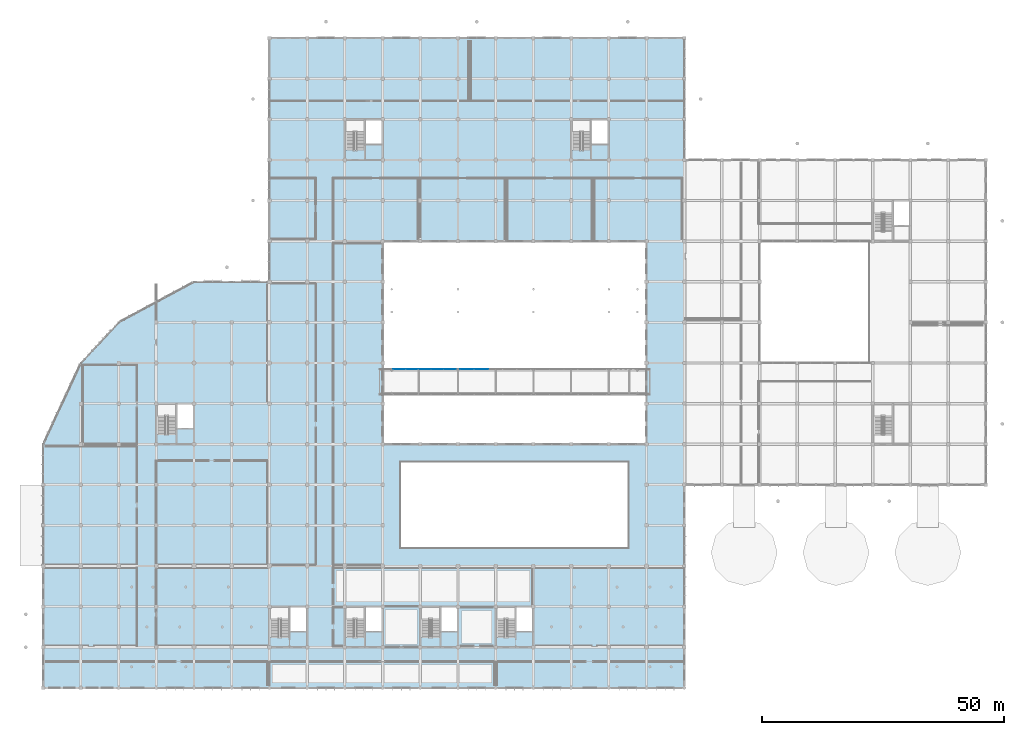
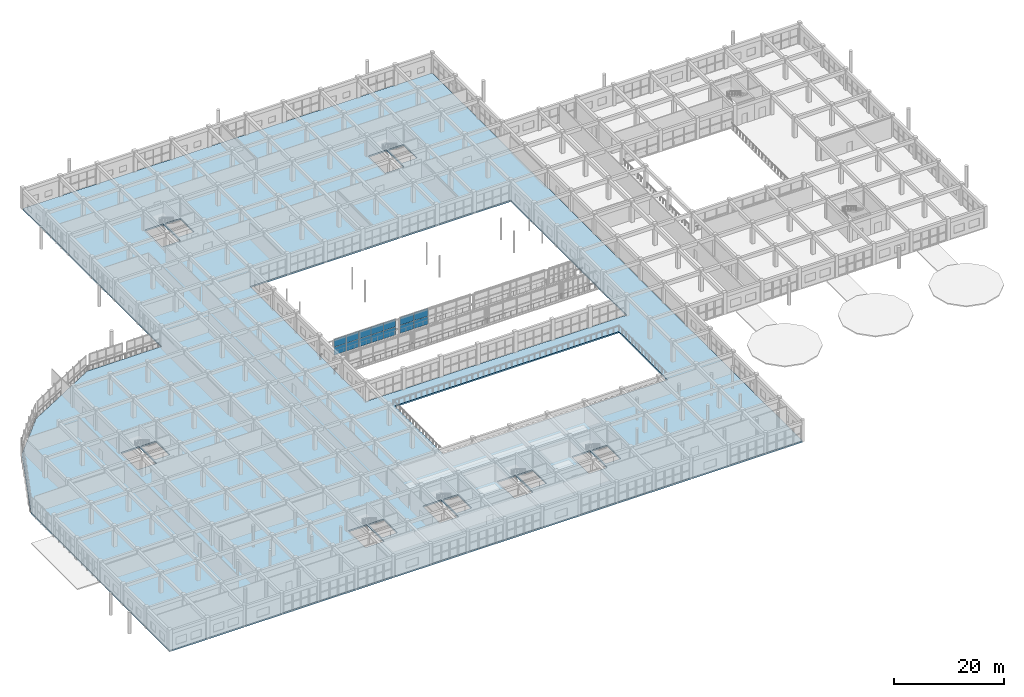
# One storey, part 143 of 175: 14 plates, 1 slab, 2 elements without a shape of their own.
"""IFC4 building model written with IfcOpenShell, lengths in metres."""

import ifcopenshell
import ifcopenshell.guid

model = None  # the IFC model being written
_history = None  # IfcOwnerHistory: only IFC2X3 demands one
_inside = {}  # id of a spatial element -> (the spatial element, [elements in it])
_under = {}  # id of a project, library or spatial element -> (it, [spatial elements below it])
_declared = {}  # id of a project -> (the project, [libraries it declares])
_typed = {}  # id of a type object -> (the type object, [elements of that type])
_made_of = {}  # id of a material, layer set ... -> (it, [elements and type objects made of it])


def new_model(schema):
    """Start an empty IFC model of exactly this schema.

    Asked for "IFC4X3", IfcOpenShell would pick the latest addendum, in which some entities
    have other attributes; the version numbers below select the first issue.
    IFC2X3 requires an IfcOwnerHistory on every rooted entity: one is made here for all.
    """
    global model, _history
    if schema == "IFC4X3":
        model = ifcopenshell.file(schema_version=(4, 3, 0, 0))
    else:
        model = ifcopenshell.file(schema=schema)
    _inside.clear()
    _under.clear()
    _declared.clear()
    _typed.clear()
    _made_of.clear()
    _history = None
    if model.schema == "IFC2X3":
        org = make("IfcOrganization", Name="unknown")
        user = make(
            "IfcPersonAndOrganization",
            ThePerson=make("IfcPerson", FamilyName="unknown"),
            TheOrganization=org,
        )
        app = make(
            "IfcApplication",
            ApplicationDeveloper=org,
            Version="unknown",
            ApplicationFullName="unknown",
            ApplicationIdentifier="unknown",
        )
        _history = make(
            "IfcOwnerHistory",
            OwningUser=user,
            OwningApplication=app,
            ChangeAction="ADDED",
            CreationDate=0,
        )
    return model


def make(cls, **values):
    """One entity of the class cls with the attributes given. An attribute that is None is left unset."""
    return model.create_entity(
        cls, **{name: value for name, value in values.items() if value is not None}
    )


def rooted(cls, **values):
    """An entity with a GlobalId (a new one), such as an element, a storey or a relation."""
    return make(cls, GlobalId=ifcopenshell.guid.new(), OwnerHistory=_history, **values)


def si_unit(unit_type, name, prefix=None):
    """IfcSIUnit, for example si_unit("LENGTHUNIT", "METRE", prefix="MILLI")."""
    return make("IfcSIUnit", UnitType=unit_type, Prefix=prefix, Name=name)


def assignment(units):
    """IfcUnitAssignment: the units of a project."""
    return None if units is None else make("IfcUnitAssignment", Units=units)


def point(xyz):
    """IfcCartesianPoint."""
    return None if xyz is None else make("IfcCartesianPoint", Coordinates=xyz)


def direction(xyz):
    """IfcDirection."""
    return None if xyz is None else make("IfcDirection", DirectionRatios=xyz)


def frame(location, z_axis=None, x_axis=None):
    """IfcAxis2Placement3D, a coordinate frame: its origin and axes. An axis left out is left unset."""
    return make(
        "IfcAxis2Placement3D",
        Location=point(location),
        Axis=direction(z_axis),
        RefDirection=direction(x_axis),
    )


def frame_2d(location, x_axis=None):
    """IfcAxis2Placement2D, a coordinate frame in the plane: its origin and x axis."""
    return make(
        "IfcAxis2Placement2D", Location=point(location), RefDirection=direction(x_axis)
    )


def origin():
    """The frame at (0, 0, 0) with its axes left unset."""
    return frame((0.0, 0.0, 0.0))


def origin_2d():
    """The frame at (0, 0) in the plane with its x axis left unset."""
    return frame_2d((0.0, 0.0))


def place(relative_to, where):
    """IfcLocalPlacement: puts the frame where relative to a parent placement (None: the world)."""
    return make(
        "IfcLocalPlacement", PlacementRelTo=relative_to, RelativePlacement=where
    )


def context(
    kind, dimensions, precision=None, world=None, true_north=None, identifier=None
):
    """IfcGeometricRepresentationContext, for example the 3D "Model" context."""
    return make(
        "IfcGeometricRepresentationContext",
        ContextIdentifier=identifier,
        ContextType=kind,
        CoordinateSpaceDimension=dimensions,
        Precision=precision,
        WorldCoordinateSystem=world,
        TrueNorth=true_north,
    )


def subcontext(parent, identifier, kind, view, scale=None):
    """IfcGeometricRepresentationSubContext, for example "Body" below "Model"."""
    return make(
        "IfcGeometricRepresentationSubContext",
        ContextIdentifier=identifier,
        ContextType=kind,
        ParentContext=parent,
        TargetScale=scale,
        TargetView=view,
    )


def project(units=None, contexts=None):
    """IfcProject with its units and contexts."""
    return rooted(
        "IfcProject",
        Name="project",
        RepresentationContexts=contexts,
        UnitsInContext=assignment(units),
    )


def spatial(cls, under=None, at=None, **own):
    """A site, building, storey or space (cls), placed at a placement, below another one or the project."""
    s = rooted(cls, ObjectPlacement=at, **own)
    if under is not None:
        _under.setdefault(under.id(), (under, []))[1].append(s)
    return s


def polyline(points):
    """IfcPolyline through the points."""
    return make("IfcPolyline", Points=[point(p) for p in points])


def profile(cls, at=None, kind="AREA", **sizes):
    """A parametric profile (cls). Its sizes go by their IFC names, for example OverallWidth=200.0."""
    return make(cls, ProfileType=kind, Position=at, **sizes)


def rectangle(**sizes):
    """IfcRectangleProfileDef."""
    return profile("IfcRectangleProfileDef", **sizes)


def outline(outer, holes=None, kind="AREA"):
    """IfcArbitraryClosedProfileDef: a profile drawn as a closed curve; with holes, ...WithVoids."""
    if holes is None:
        return make("IfcArbitraryClosedProfileDef", ProfileType=kind, OuterCurve=outer)
    return make(
        "IfcArbitraryProfileDefWithVoids",
        ProfileType=kind,
        OuterCurve=outer,
        InnerCurves=holes,
    )


def extrude(swept, where, along, depth):
    """IfcExtrudedAreaSolid: the profile swept, set in the frame where, extruded along a direction by depth."""
    return make(
        "IfcExtrudedAreaSolid",
        SweptArea=swept,
        Position=where,
        ExtrudedDirection=direction(along),
        Depth=depth,
    )


def shape(context_of_items, identifier, shape_type, items):
    """IfcShapeRepresentation: the items that make up one representation, for example the "Body"."""
    return make(
        "IfcShapeRepresentation",
        ContextOfItems=context_of_items,
        RepresentationIdentifier=identifier,
        RepresentationType=shape_type,
        Items=items,
    )


def material(Name=None, Category=None):
    """IfcMaterial."""
    return make("IfcMaterial", Name=Name, Category=Category)


def layer(
    of_material, thickness, ventilated=None, Name=None, Category=None, Priority=None
):
    """IfcMaterialLayer: one layer of a wall or slab, of a material (None: an air gap)."""
    return make(
        "IfcMaterialLayer",
        Material=of_material,
        LayerThickness=thickness,
        IsVentilated=ventilated,
        Name=Name,
        Category=Category,
        Priority=Priority,
    )


def layer_set(layers, Name=None):
    """IfcMaterialLayerSet."""
    return make("IfcMaterialLayerSet", MaterialLayers=layers, LayerSetName=Name)


def made_of(thing, what):
    """Note that an element or type object is made of a material, layer set ...; save() writes the relation."""
    if what is not None:
        _made_of.setdefault(what.id(), (what, []))[1].append(thing)
    return thing


def type_object(cls, material=None, **own):
    """A type object (cls), such as IfcWallType, which elements share."""
    return made_of(rooted(cls, **own), material)


def element(
    cls,
    number,
    at=None,
    inside=None,
    cuts=None,
    type_object=None,
    material=None,
    context=None,
    identifier="Body",
    shape_type=None,
    held_by="IfcProductDefinitionShape",
    body=None,
    shapes=None,
    **own,
):
    """One element of the class cls, such as IfcWall. Its Tag is "e" and its number.

    at: its placement. inside: the storey or other place that contains it. cuts: it is an
    opening in that element (IfcRelVoidsElement). A single representation is given by context,
    identifier, shape_type and body (its items); several are given by shapes. held_by: the class
    of the entity that holds the representations. save() writes the other relations.
    """
    e = rooted(cls, Tag="e%d" % number, ObjectPlacement=at, **own)
    if body is not None:
        shapes = [shape(context, identifier, shape_type, body)]
    if shapes is not None:
        e.Representation = make(held_by, Representations=shapes)
    if inside is not None:
        _inside.setdefault(inside.id(), (inside, []))[1].append(e)
    if cuts is not None:
        rooted(
            "IfcRelVoidsElement", RelatingBuildingElement=cuts, RelatedOpeningElement=e
        )
    if type_object is not None:
        _typed.setdefault(type_object.id(), (type_object, []))[1].append(e)
    return made_of(e, material)


def aggregate(whole, parts):
    """IfcRelAggregates: a whole, such as a stair, and the parts it consists of."""
    return rooted("IfcRelAggregates", RelatingObject=whole, RelatedObjects=parts)


def save(model, path):
    """Write the relations noted so far, then the file.

    IfcRelAggregates (storeys below a building ...), IfcRelContainedInSpatialStructure (elements
    in a storey), IfcRelDefinesByType, IfcRelAssociatesMaterial and IfcRelDeclares: one each for
    every whole, place, type object, material and project.
    """
    for whole, parts in _under.values():
        aggregate(whole, parts)
    for where, things in _inside.values():
        rooted(
            "IfcRelContainedInSpatialStructure",
            RelatedElements=things,
            RelatingStructure=where,
        )
    for kind, things in _typed.values():
        rooted("IfcRelDefinesByType", RelatedObjects=things, RelatingType=kind)
    for what, things in _made_of.values():
        rooted("IfcRelAssociatesMaterial", RelatedObjects=things, RelatingMaterial=what)
    for by, libraries in _declared.values():
        rooted("IfcRelDeclares", RelatingContext=by, RelatedDefinitions=libraries)
    model.write(path)


model = new_model("IFC4")

# Units and contexts
model_context = context("Model", 3, precision=1e-05, world=origin(), true_north=direction((0.0, 1.0)))
body_context = subcontext(model_context, "Body", "Model", "MODEL_VIEW")
ifc_project = project(units=[si_unit("LENGTHUNIT", "METRE"), si_unit("AREAUNIT", "SQUARE_METRE"), si_unit("VOLUMEUNIT", "CUBIC_METRE"), si_unit("PLANEANGLEUNIT", "RADIAN"), si_unit("MASSUNIT", "GRAM", prefix="KILO")], contexts=[model_context])

# Site, building, storey
site_placement = place(None, origin())
site = spatial("IfcSite", under=ifc_project, at=site_placement, CompositionType="ELEMENT")
building_placement = place(site_placement, origin())
building = spatial("IfcBuilding", under=site, at=building_placement, Name="Zizhar Promenade General Hospital", CompositionType="ELEMENT")
storey_placement = place(building_placement, frame((0.0, 0.0, 4.800048828125)))
storey = spatial("IfcBuildingStorey", under=building, at=storey_placement, Name="L01", CompositionType="ELEMENT", Elevation=4.800048828125)

# Curtain wall, plates
ifc_material_1 = material(Name="Anodised aluminium 6063-T6 and low-E glass", Category="aluminium")
ifc_layer_1 = layer(ifc_material_1, 0.159912109375)
ifc_layer_set_1 = layer_set([ifc_layer_1], Name="Anodised aluminium 6063-T6 and low-E glass")
curtain_wall_type = type_object("IfcCurtainWallType", Name="CW-SKY-GLZ", PredefinedType="NOTDEFINED", material=ifc_layer_set_1)
curtain_wall_1_placement = place(storey_placement, origin())
curtain_wall_1 = element("IfcCurtainWall", 1, at=curtain_wall_1_placement, inside=storey, type_object=curtain_wall_type, Name="Courtyard Clinical Skybridge Level L01 North Glazing 1", PredefinedType="NOTDEFINED")
ifc_material_2 = material(Name="Low-E solar-control glass", Category="glass")
ifc_layer_2 = layer(ifc_material_2, 0.031982421875)
ifc_layer_set_2 = layer_set([ifc_layer_2], Name="Low-E solar-control glass")
plate_type = type_object("IfcPlateType", Name="CWP-GLZ-32", PredefinedType="CURTAIN_PANEL", material=ifc_layer_set_2)
plate_1_placement = place(storey_placement, frame((73.715087890625, 65.89990234375, 0.06005859375), z_axis=(0.0, 0.0, 1.0), x_axis=(1.0, 0.0, 0.0)))
plate_1 = element("IfcPlate", 2, at=plate_1_placement, type_object=plate_type, Name="CW-15 panel 1.1", PredefinedType="CURTAIN_PANEL", context=body_context, shape_type="SweptSolid", body=[
    extrude(rectangle(XDim=2.510009765625, YDim=0.031982421875, at=origin_2d()), origin(), (0.0, 0.0, 1.0), 1.72998046875),
])
plate_2_placement = place(storey_placement, frame((73.715087890625, 65.89990234375, 1.849853515625), z_axis=(0.0, 0.0, 1.0), x_axis=(1.0, 0.0, 0.0)))
plate_2 = element("IfcPlate", 3, at=plate_2_placement, type_object=plate_type, Name="CW-15 panel 1.2", PredefinedType="CURTAIN_PANEL", context=body_context, shape_type="SweptSolid", body=[
    extrude(rectangle(XDim=2.510009765625, YDim=0.031982421875, at=origin_2d()), origin(), (0.0, 0.0, 1.0), 1.72998046875),
])
plate_3_placement = place(storey_placement, frame((76.300048828125, 65.89990234375, 0.06005859375), z_axis=(0.0, 0.0, 1.0), x_axis=(1.0, 0.0, 0.0)))
plate_3 = element("IfcPlate", 4, at=plate_3_placement, type_object=plate_type, Name="CW-15 panel 2.1", PredefinedType="CURTAIN_PANEL", context=body_context, shape_type="SweptSolid", body=[
    extrude(rectangle(XDim=2.5400390625, YDim=0.031982421875, at=origin_2d()), origin(), (0.0, 0.0, 1.0), 1.72998046875),
])
plate_4_placement = place(storey_placement, frame((76.300048828125, 65.89990234375, 1.849853515625), z_axis=(0.0, 0.0, 1.0), x_axis=(1.0, 0.0, 0.0)))
plate_4 = element("IfcPlate", 5, at=plate_4_placement, type_object=plate_type, Name="CW-15 panel 2.2", PredefinedType="CURTAIN_PANEL", context=body_context, shape_type="SweptSolid", body=[
    extrude(rectangle(XDim=2.5400390625, YDim=0.031982421875, at=origin_2d()), origin(), (0.0, 0.0, 1.0), 1.72998046875),
])
plate_5_placement = place(storey_placement, frame((78.89990234375, 65.89990234375, 0.06005859375), z_axis=(0.0, 0.0, 1.0), x_axis=(1.0, 0.0, 0.0)))
plate_5 = element("IfcPlate", 6, at=plate_5_placement, type_object=plate_type, Name="CW-15 panel 3.1", PredefinedType="CURTAIN_PANEL", context=body_context, shape_type="SweptSolid", body=[
    extrude(rectangle(XDim=2.5400390625, YDim=0.031982421875, at=origin_2d()), origin(), (0.0, 0.0, 1.0), 1.72998046875),
])
plate_6_placement = place(storey_placement, frame((78.89990234375, 65.89990234375, 1.849853515625), z_axis=(0.0, 0.0, 1.0), x_axis=(1.0, 0.0, 0.0)))
plate_6 = element("IfcPlate", 7, at=plate_6_placement, type_object=plate_type, Name="CW-15 panel 3.2", PredefinedType="CURTAIN_PANEL", context=body_context, shape_type="SweptSolid", body=[
    extrude(rectangle(XDim=2.5400390625, YDim=0.031982421875, at=origin_2d()), origin(), (0.0, 0.0, 1.0), 1.72998046875),
])
plate_7_placement = place(storey_placement, frame((81.5, 65.89990234375, 0.06005859375), z_axis=(0.0, 0.0, 1.0), x_axis=(1.0, 0.0, 0.0)))
plate_7 = element("IfcPlate", 8, at=plate_7_placement, type_object=plate_type, Name="CW-15 panel 4.1", PredefinedType="CURTAIN_PANEL", context=body_context, shape_type="SweptSolid", body=[
    extrude(rectangle(XDim=2.5400390625, YDim=0.031982421875, at=origin_2d()), origin(), (0.0, 0.0, 1.0), 1.72998046875),
])
plate_8_placement = place(storey_placement, frame((81.5, 65.89990234375, 1.849853515625), z_axis=(0.0, 0.0, 1.0), x_axis=(1.0, 0.0, 0.0)))
plate_8 = element("IfcPlate", 9, at=plate_8_placement, type_object=plate_type, Name="CW-15 panel 4.2", PredefinedType="CURTAIN_PANEL", context=body_context, shape_type="SweptSolid", body=[
    extrude(rectangle(XDim=2.5400390625, YDim=0.031982421875, at=origin_2d()), origin(), (0.0, 0.0, 1.0), 1.72998046875),
])
plate_9_placement = place(storey_placement, frame((84.0849609375, 65.89990234375, 0.06005859375), z_axis=(0.0, 0.0, 1.0), x_axis=(1.0, 0.0, 0.0)))
plate_9 = element("IfcPlate", 10, at=plate_9_placement, type_object=plate_type, Name="CW-15 panel 5.1", PredefinedType="CURTAIN_PANEL", context=body_context, shape_type="SweptSolid", body=[
    extrude(rectangle(XDim=2.510009765625, YDim=0.031982421875, at=origin_2d()), origin(), (0.0, 0.0, 1.0), 1.72998046875),
])
plate_10_placement = place(storey_placement, frame((84.0849609375, 65.89990234375, 1.849853515625), z_axis=(0.0, 0.0, 1.0), x_axis=(1.0, 0.0, 0.0)))
plate_10 = element("IfcPlate", 11, at=plate_10_placement, type_object=plate_type, Name="CW-15 panel 5.2", PredefinedType="CURTAIN_PANEL", context=body_context, shape_type="SweptSolid", body=[
    extrude(rectangle(XDim=2.510009765625, YDim=0.031982421875, at=origin_2d()), origin(), (0.0, 0.0, 1.0), 1.72998046875),
])
aggregate(curtain_wall_1, [plate_1, plate_2, plate_3, plate_4, plate_5, plate_6, plate_7, plate_8, plate_9, plate_10])

curtain_wall_2_placement = place(storey_placement, origin())
curtain_wall_2 = element("IfcCurtainWall", 12, at=curtain_wall_2_placement, inside=storey, type_object=curtain_wall_type, Name="Courtyard Clinical Skybridge Level L01 North Glazing 2", PredefinedType="NOTDEFINED")
plate_11_placement = place(storey_placement, frame((87.695068359375, 65.89990234375, 0.06005859375), z_axis=(0.0, 0.0, 1.0), x_axis=(1.0, 0.0, 0.0)))
plate_11 = element("IfcPlate", 13, at=plate_11_placement, type_object=plate_type, Name="CW-15 panel 1.1", PredefinedType="CURTAIN_PANEL", context=body_context, shape_type="SweptSolid", body=[
    extrude(rectangle(XDim=2.8701171875, YDim=0.031982421875, at=origin_2d()), origin(), (0.0, 0.0, 1.0), 1.72998046875),
])
plate_12_placement = place(storey_placement, frame((87.695068359375, 65.89990234375, 1.849853515625), z_axis=(0.0, 0.0, 1.0), x_axis=(1.0, 0.0, 0.0)))
plate_12 = element("IfcPlate", 14, at=plate_12_placement, type_object=plate_type, Name="CW-15 panel 1.2", PredefinedType="CURTAIN_PANEL", context=body_context, shape_type="SweptSolid", body=[
    extrude(rectangle(XDim=2.8701171875, YDim=0.031982421875, at=origin_2d()), origin(), (0.0, 0.0, 1.0), 1.72998046875),
])
plate_13_placement = place(storey_placement, frame((90.639892578125, 65.89990234375, 0.06005859375), z_axis=(0.0, 0.0, 1.0), x_axis=(1.0, 0.0, 0.0)))
plate_13 = element("IfcPlate", 15, at=plate_13_placement, type_object=plate_type, Name="CW-15 panel 2.1", PredefinedType="CURTAIN_PANEL", context=body_context, shape_type="SweptSolid", body=[
    extrude(rectangle(XDim=2.89990234375, YDim=0.031982421875, at=origin_2d()), origin(), (0.0, 0.0, 1.0), 1.72998046875),
])
plate_14_placement = place(storey_placement, frame((90.639892578125, 65.89990234375, 1.849853515625), z_axis=(0.0, 0.0, 1.0), x_axis=(1.0, 0.0, 0.0)))
plate_14 = element("IfcPlate", 16, at=plate_14_placement, type_object=plate_type, Name="CW-15 panel 2.2", PredefinedType="CURTAIN_PANEL", context=body_context, shape_type="SweptSolid", body=[
    extrude(rectangle(XDim=2.89990234375, YDim=0.031982421875, at=origin_2d()), origin(), (0.0, 0.0, 1.0), 1.72998046875),
])
aggregate(curtain_wall_2, [plate_11, plate_12, plate_13, plate_14])

# Slab
ifc_material_3 = material(Name="Concrete C35/45", Category="concrete")
ifc_layer_3 = layer(ifc_material_3, 0.320068359375)
ifc_layer_set_3 = layer_set([ifc_layer_3], Name="Concrete C35/45")
slab_type = type_object("IfcSlabType", Name="SLB-FLR-320", PredefinedType="FLOOR", material=ifc_layer_set_3)
slab_placement = place(storey_placement, frame((0.0, 0.0, -0.320068359375)))
element("IfcSlab", 17, at=slab_placement, inside=storey, type_object=slab_type, Name="Level L01 Diagnostic and Surgical Floor Slab", PredefinedType="FLOOR", context=body_context, shape_type="SweptSolid", body=[
    extrude(outline(polyline([(0.0, 0.0), (132.550048828125, 0.0), (132.550048828125, 134.39990234375), (46.800048828125, 134.39990234375), (46.800048828125, 84.0), (31.199951171875, 84.0), (15.60009765625, 75.60009765625), (7.800048828125, 67.199951171875), (0.0, 50.39990234375), (0.0, 0.0)]), holes=[polyline([(70.199951171875, 50.39990234375), (70.199951171875, 92.39990234375), (124.800048828125, 92.39990234375), (124.800048828125, 50.39990234375), (70.199951171875, 50.39990234375)]), polyline([(74.0, 29.0), (74.0, 46.60009765625), (121.0, 46.60009765625), (121.0, 29.0), (74.0, 29.0)]), polyline([(23.580078125, 52.429931640625), (23.580078125, 58.6201171875), (27.47998046875, 58.6201171875), (27.47998046875, 52.429931640625), (23.580078125, 52.429931640625)]), polyline([(27.75, 53.6201171875), (27.75, 58.580078125), (30.97998046875, 58.580078125), (30.97998046875, 53.6201171875), (27.75, 53.6201171875)]), polyline([(46.97998046875, 10.429931640625), (46.97998046875, 16.6201171875), (50.8798828125, 16.6201171875), (50.8798828125, 10.429931640625), (46.97998046875, 10.429931640625)]), polyline([(51.14990234375, 11.6201171875), (51.14990234375, 16.580078125), (54.3798828125, 16.580078125), (54.3798828125, 11.6201171875), (51.14990234375, 11.6201171875)]), polyline([(62.580078125, 10.429931640625), (62.580078125, 16.6201171875), (66.47998046875, 16.6201171875), (66.47998046875, 10.429931640625), (62.580078125, 10.429931640625)]), polyline([(66.75, 11.6201171875), (66.75, 16.580078125), (69.97998046875, 16.580078125), (69.97998046875, 11.6201171875), (66.75, 11.6201171875)]), polyline([(78.179931640625, 10.429931640625), (78.179931640625, 16.6201171875), (82.080078125, 16.6201171875), (82.080078125, 10.429931640625), (78.179931640625, 10.429931640625)]), polyline([(82.35009765625, 11.6201171875), (82.35009765625, 16.580078125), (85.580078125, 16.580078125), (85.580078125, 11.6201171875), (82.35009765625, 11.6201171875)]), polyline([(93.780029296875, 10.429931640625), (93.780029296875, 16.6201171875), (97.679931640625, 16.6201171875), (97.679931640625, 10.429931640625), (93.780029296875, 10.429931640625)]), polyline([(97.949951171875, 11.6201171875), (97.949951171875, 16.580078125), (101.179931640625, 16.580078125), (101.179931640625, 11.6201171875), (97.949951171875, 11.6201171875)]), polyline([(62.580078125, 111.22998046875), (62.580078125, 117.419921875), (66.47998046875, 117.419921875), (66.47998046875, 111.22998046875), (62.580078125, 111.22998046875)]), polyline([(66.75, 112.419921875), (66.75, 117.3798828125), (69.97998046875, 117.3798828125), (69.97998046875, 112.419921875), (66.75, 112.419921875)]), polyline([(109.3798828125, 111.22998046875), (109.3798828125, 117.419921875), (113.280029296875, 117.419921875), (113.280029296875, 111.22998046875), (109.3798828125, 111.22998046875)]), polyline([(113.550048828125, 112.419921875), (113.550048828125, 117.3798828125), (116.780029296875, 117.3798828125), (116.780029296875, 112.419921875), (113.550048828125, 112.419921875)])]), origin(), (0.0, 0.0, 1.0), 0.320068359375),
])

save(model, "model.ifc")
